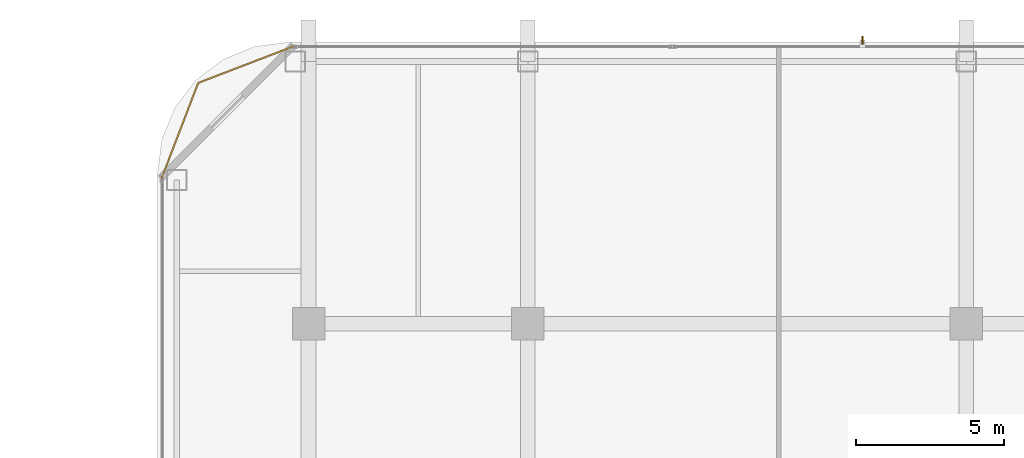
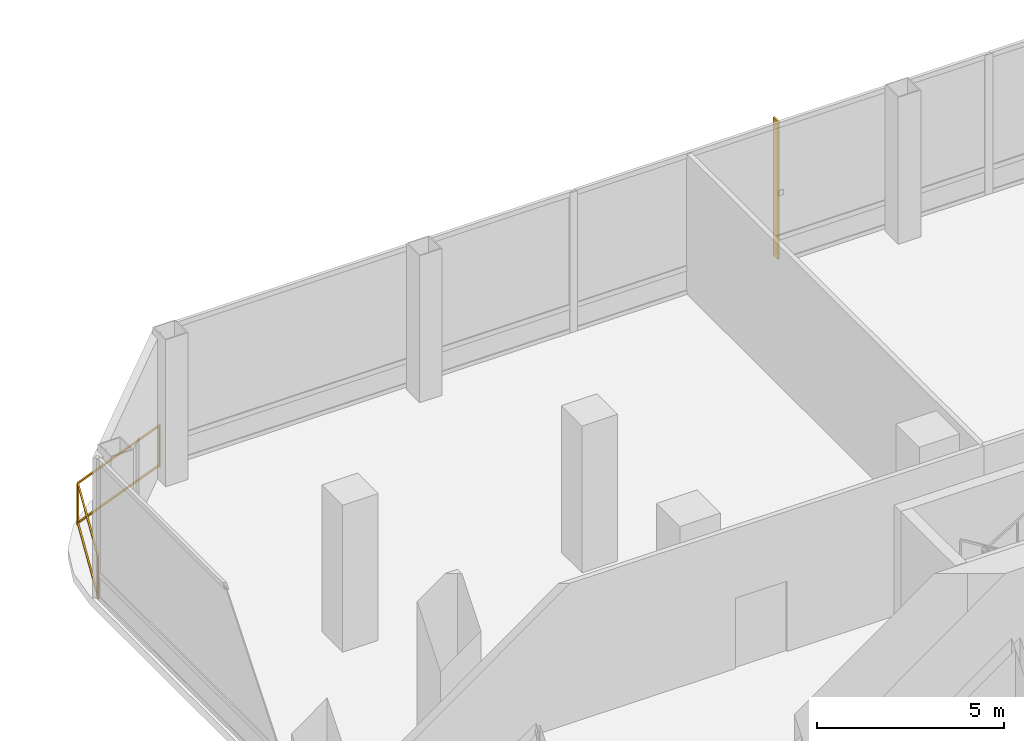
# One storey, part 27 of 28: 1 railing, 1 shading device.
"""IFC4 building model written with IfcOpenShell, lengths in metres."""

from ifc_helpers import new_model, si_unit, direction, frame, origin, origin_2d, place, context, subcontext, project, spatial, rectangle, extrude, material, layer, layer_set, type_object, element, save


model = new_model("IFC4")

# Units and contexts
model_context = context("Model", 3, precision=1e-05, world=origin(), true_north=direction((0.0, 1.0)))
body_context = subcontext(model_context, "Body", "Model", "MODEL_VIEW")
ifc_project = project(units=[si_unit("LENGTHUNIT", "METRE"), si_unit("AREAUNIT", "SQUARE_METRE"), si_unit("VOLUMEUNIT", "CUBIC_METRE"), si_unit("PLANEANGLEUNIT", "RADIAN"), si_unit("MASSUNIT", "GRAM", prefix="KILO")], contexts=[model_context])

# Site, building, storey
site_placement = place(None, origin())
site = spatial("IfcSite", under=ifc_project, at=site_placement, CompositionType="ELEMENT")
building_placement = place(site_placement, origin())
building = spatial("IfcBuilding", under=site, at=building_placement, Name="Khorvyn Point Tower", CompositionType="ELEMENT")
storey_placement = place(building_placement, frame((0.0, 0.0, 108.60009765625)))
storey = spatial("IfcBuildingStorey", under=building, at=storey_placement, Name="L27", CompositionType="ELEMENT", Elevation=108.60009765625)

# Railing
ifc_material_1 = material(Name="Anodised aluminium 6063-T6 and laminated safety glass", Category="aluminium")
railing_type = type_object("IfcRailingType", Name="Laminated Glass and Aluminium Balcony Guardrail 1400", PredefinedType="BALUSTRADE", material=ifc_material_1)
railing_placement = place(storey_placement, frame((-15.27587890625, 29.47412109375, 0.0)))
element("IfcRailing", 1, at=railing_placement, inside=storey, type_object=railing_type, Name="L27 Rounded Corner Edge Guardrail NW", PredefinedType="BALUSTRADE", context=body_context, shape_type="SweptSolid", body=[
    extrude(rectangle(XDim=0.048095703125, YDim=0.048095703125, at=origin_2d()), frame((0.0, 0.0, 1.3759765625), z_axis=(-0.933574931257, -0.358382264808, 0.0), x_axis=(0.358382264808, -0.933574931257, 0.0)), (0.0, 0.0, 1.0), 3.481689453125),
    extrude(rectangle(XDim=0.048095703125, YDim=0.048095703125, at=origin_2d()), frame((0.0, 0.0, 0.080078125), z_axis=(-0.933574931257, -0.358382264808, 0.0), x_axis=(0.358382264808, -0.933574931257, 0.0)), (0.0, 0.0, 1.0), 3.481689453125),
    extrude(rectangle(XDim=0.048095703125, YDim=0.048095703125, at=origin_2d()), frame((-3.25048828125, -1.247802734375, 1.3759765625), z_axis=(-0.35840572668, -0.933565924337, 0.0), x_axis=(0.933565924337, -0.35840572668, 0.0)), (0.0, 0.0, 1.0), 3.4814453125),
    extrude(rectangle(XDim=0.048095703125, YDim=0.048095703125, at=origin_2d()), frame((-3.25048828125, -1.247802734375, 0.080078125), z_axis=(-0.35840572668, -0.933565924337, 0.0), x_axis=(0.933565924337, -0.35840572668, 0.0)), (0.0, 0.0, 1.0), 3.4814453125),
    extrude(rectangle(XDim=0.0419921875, YDim=0.0419921875, at=origin_2d()), origin(), (0.0, 0.0, 1.0), 1.351806640625),
    extrude(rectangle(XDim=0.0419921875, YDim=0.0419921875, at=origin_2d()), frame((-3.25048828125, -1.247802734375, 0.0)), (0.0, 0.0, 1.0), 1.351806640625),
    extrude(rectangle(XDim=0.0419921875, YDim=0.0419921875, at=origin_2d()), frame((-4.498291015625, -4.498046875, 0.0)), (0.0, 0.0, 1.0), 1.351806640625),
])

# Shading device
ifc_material_2 = material(Name="Pale anodised aluminium 6063-T6", Category="aluminium")
ifc_layer = layer(ifc_material_2, 0.054931640625)
ifc_layer_set = layer_set([ifc_layer], Name="Pale Anodised Aluminium FIN 260x55")
shading_device_type = type_object("IfcShadingDeviceType", Name="Pale Anodised Aluminium FIN 260x55", PredefinedType="USERDEFINED", material=ifc_layer_set)
shading_device_placement = place(storey_placement, frame((3.89990234375, 29.669921875, 0.039794921875), z_axis=(0.0, 0.0, 1.0), x_axis=(0.0, 1.0, 0.0)))
element("IfcShadingDevice", 2, at=shading_device_placement, inside=storey, type_object=shading_device_type, Name="L27 Anodised FIN 01", ObjectType="FIN", PredefinedType="USERDEFINED", context=body_context, shape_type="SweptSolid", body=[
    extrude(rectangle(XDim=0.260009765625, YDim=0.054931640625, at=origin_2d()), origin(), (0.0, 0.0, 1.0), 4.5),
])

save(model, "model.ifc")
